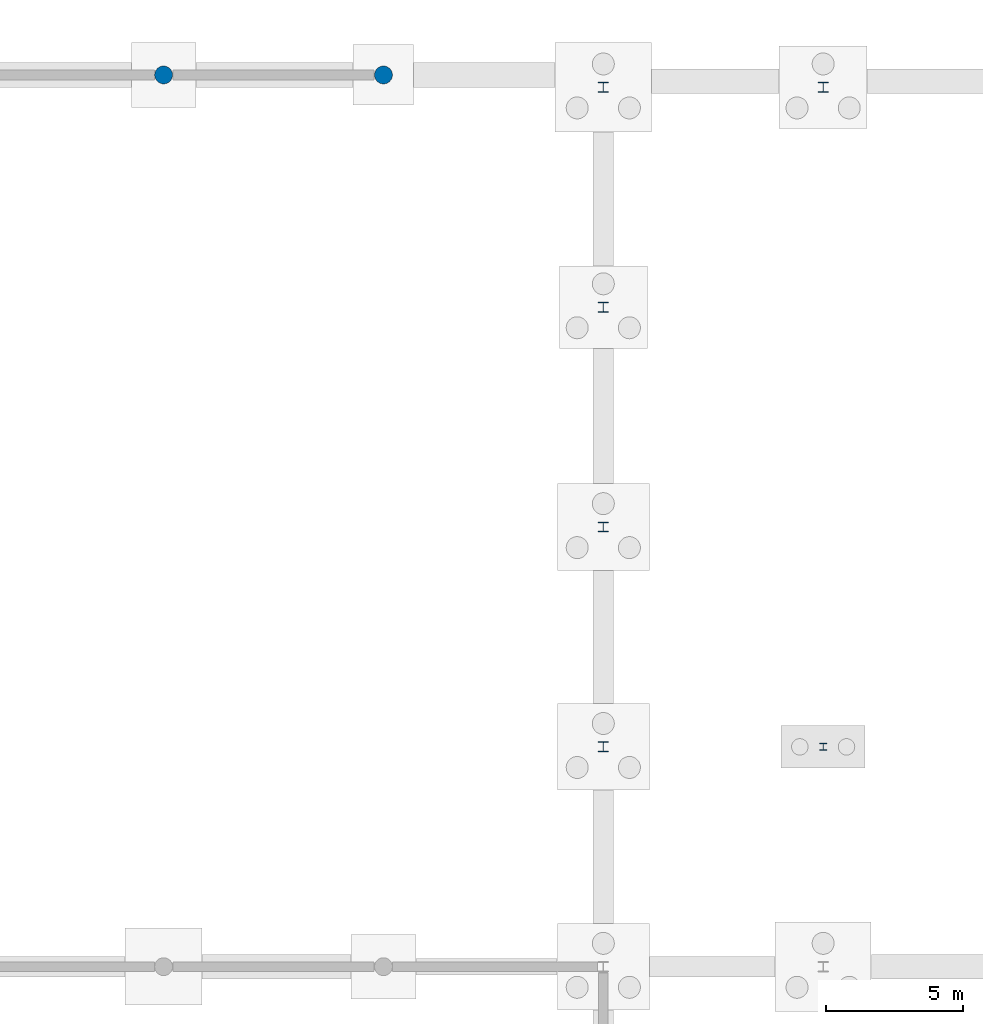
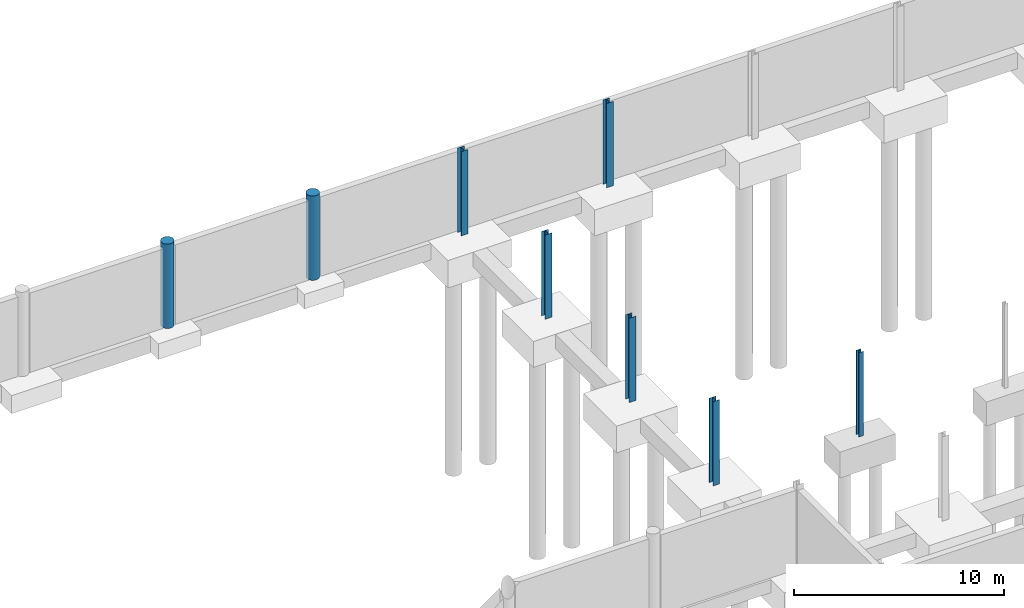
# One storey, part 25 of 51: 8 columns.
"""IFC4 building model written with IfcOpenShell, lengths in metres."""

from ifc_helpers import new_model, si_unit, direction, frame, origin, origin_2d, place, context, subcontext, project, spatial, circle, i_section, extrude, material, material_profile, profile_set, type_object, element, save


model = new_model("IFC4")

# Units and contexts
model_context = context("Model", 3, precision=1e-05, world=origin(), true_north=direction((0.0, 1.0)))
body_context = subcontext(model_context, "Body", "Model", "MODEL_VIEW")
ifc_project = project(units=[si_unit("LENGTHUNIT", "METRE"), si_unit("AREAUNIT", "SQUARE_METRE"), si_unit("VOLUMEUNIT", "CUBIC_METRE"), si_unit("PLANEANGLEUNIT", "RADIAN"), si_unit("MASSUNIT", "GRAM", prefix="KILO")], contexts=[model_context])

# Site, building, storey
site_placement = place(None, origin())
site = spatial("IfcSite", under=ifc_project, at=site_placement, CompositionType="ELEMENT")
building_placement = place(site_placement, origin())
building = spatial("IfcBuilding", under=site, at=building_placement, Name="Jelvoka-Kovrelna Polytechnic", CompositionType="ELEMENT")
storey_placement = place(building_placement, frame((0.0, 0.0, -4.5)))
storey = spatial("IfcBuildingStorey", under=building, at=storey_placement, Name="B01", CompositionType="ELEMENT", Elevation=-4.5)

# Columns
ifc_material_1 = material(Name="Concrete C40/50", Category="concrete")
ifc_material_profile_1 = material_profile(ifc_material_1, circle(Radius=0.324951171875, at=origin_2d()), Name="RC D650")
ifc_profile_set_1 = profile_set([ifc_material_profile_1], Name="Concrete C40/50")
column_type_1 = type_object("IfcColumnType", Name="Col_Pilotis_D650", PredefinedType="PILASTER", material=ifc_profile_set_1)
for number, where, z_axis, x_axis, name in (
    (1, (72.0, 120.449951171875, -0.405029296875), (0.0, 0.0, 1.0), (1.0, 0.0, 0.0), "B01 column 1668"),
    (2, (80.0, 120.449951171875, -0.405029296875), (0.0, 0.0, 1.0), (1.0, 0.0, 0.0), "B01 column 1669"),
):
    element("IfcColumn", number, at=place(storey_placement, frame(where, z_axis=z_axis, x_axis=x_axis)), inside=storey, type_object=column_type_1, Name=name, PredefinedType="PILASTER", context=body_context, shape_type="SweptSolid", body=[
        extrude(circle(Radius=0.324951171875, at=origin_2d()), origin(), (0.0, 0.0, 1.0), 4.905029296875),
    ])
ifc_material_2 = material(Name="Structural steel S355JR", Category="steel")
ifc_material_profile_2 = material_profile(ifc_material_2, i_section(OverallWidth=0.254638671875, OverallDepth=0.254150390625, WebThickness=0.008544921875, FlangeThickness=0.01416015625, FilletRadius=0.0126953125, at=origin_2d()), Name="254x254x73 UC")
ifc_profile_set_2 = profile_set([ifc_material_profile_2], Name="Structural steel S355JR")
column_type_2 = type_object("IfcColumnType", Name="Col_Steel_UC254", PredefinedType="COLUMN", material=ifc_profile_set_2)
column_placement = place(storey_placement, frame((96.0, 96.0, -0.405029296875), z_axis=(0.0, 0.0, 1.0), x_axis=(1.0, 0.0, 0.0)))
element("IfcColumn", 3, at=column_placement, inside=storey, type_object=column_type_2, Name="B01 column 1579", PredefinedType="COLUMN", context=body_context, shape_type="SweptSolid", body=[
    extrude(i_section(OverallWidth=0.254638671875, OverallDepth=0.254150390625, WebThickness=0.008544921875, FlangeThickness=0.01416015625, FilletRadius=0.0126953125, at=origin_2d()), origin(), (0.0, 0.0, 1.0), 4.905029296875),
])
ifc_material_3 = material(Name="Structural steel S355JR", Category="steel")
ifc_material_profile_3 = material_profile(ifc_material_3, i_section(OverallWidth=0.36865234375, OverallDepth=0.355712890625, WebThickness=0.010498046875, FlangeThickness=0.017578125, FilletRadius=0.01513671875, at=origin_2d()), Name="356x368x129 UC")
ifc_profile_set_3 = profile_set([ifc_material_profile_3], Name="Structural steel S355JR")
column_type_3 = type_object("IfcColumnType", Name="Col_Steel_UC356", PredefinedType="COLUMN", material=ifc_profile_set_3)
for number, where, z_axis, x_axis, name in (
    (4, (88.0, 96.0, -0.405029296875), (0.0, 0.0, 1.0), (1.0, 0.0, 0.0), "B01 column 1576"),
    (5, (88.0, 104.0, -0.405029296875), (0.0, 0.0, 1.0), (1.0, 0.0, 0.0), "B01 column 1608"),
    (6, (88.0, 112.0, -0.405029296875), (0.0, 0.0, 1.0), (1.0, 0.0, 0.0), "B01 column 1614"),
    (7, (88.0, 120.0, -0.405029296875), (0.0, 0.0, 1.0), (1.0, 0.0, 0.0), "B01 column 1620"),
    (8, (96.0, 120.0, -0.405029296875), (0.0, 0.0, 1.0), (1.0, 0.0, 0.0), "B01 column 1623"),
):
    element("IfcColumn", number, at=place(storey_placement, frame(where, z_axis=z_axis, x_axis=x_axis)), inside=storey, type_object=column_type_3, Name=name, PredefinedType="COLUMN", context=body_context, shape_type="SweptSolid", body=[
        extrude(i_section(OverallWidth=0.36865234375, OverallDepth=0.355712890625, WebThickness=0.010498046875, FlangeThickness=0.017578125, FilletRadius=0.01513671875, at=origin_2d()), origin(), (0.0, 0.0, 1.0), 4.905029296875),
    ])

save(model, "model.ifc")
